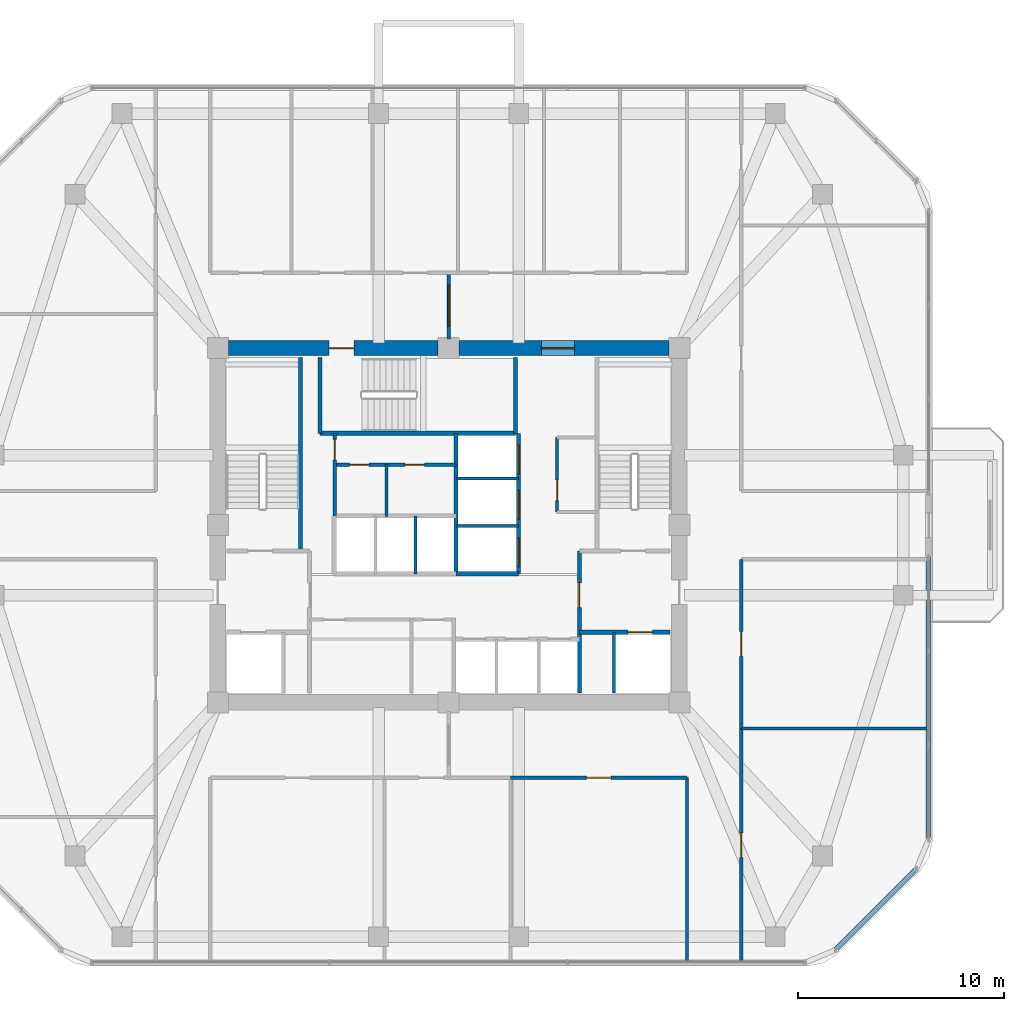
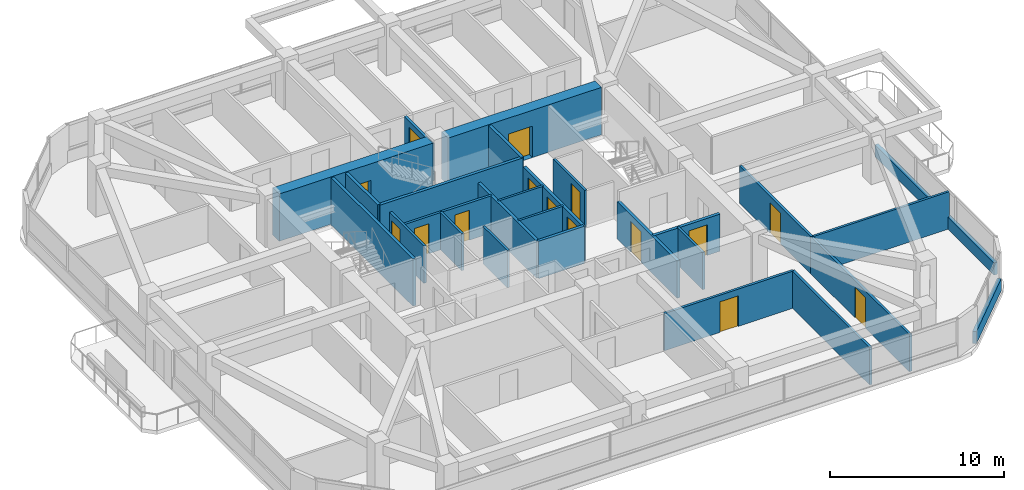
# One storey, part 9 of 13: 27 walls, 15 doors, 15 openings.
"""IFC4 building model written with IfcOpenShell, lengths in metres."""

from ifc_helpers import new_model, si_unit, derived_unit, direction, frame, frame_2d, origin, place, context, subcontext, project, spatial, rectangle, extrude, material, layer, layer_set, type_object, element, fill, save


model = new_model("IFC4")

# Units and contexts
model_context = context("Model", 3, precision=1e-05, world=origin(), true_north=direction((0.0, 1.0)))
body_context = subcontext(model_context, "Body", "Model", "MODEL_VIEW")
ifc_project = project(units=[si_unit("LENGTHUNIT", "METRE"), si_unit("AREAUNIT", "SQUARE_METRE"), si_unit("VOLUMEUNIT", "CUBIC_METRE"), si_unit("PLANEANGLEUNIT", "RADIAN"), si_unit("MASSUNIT", "GRAM", prefix="KILO"), derived_unit("THERMALTRANSMITTANCEUNIT", [(si_unit("POWERUNIT", "WATT"), 1), (si_unit("LENGTHUNIT", "METRE"), -2), (si_unit("THERMODYNAMICTEMPERATUREUNIT", "KELVIN"), -1)])], contexts=[model_context])

# Site, building, storey
site_placement = place(None, origin())
site = spatial("IfcSite", under=ifc_project, at=site_placement, CompositionType="ELEMENT")
building_placement = place(site_placement, origin())
building = spatial("IfcBuilding", under=site, at=building_placement, Name="Koralith Skygarden Medical Center", CompositionType="ELEMENT")
storey_placement = place(building_placement, frame((0.0, 0.0, 156.419921875)))
storey = spatial("IfcBuildingStorey", under=building, at=storey_placement, Name="L40", CompositionType="ELEMENT", Elevation=156.419921875)

# Wall, opening, door
ifc_material_1 = material(Name="Gypsum Board Partition")
ifc_layer_1 = layer(ifc_material_1, 0.14990234375)
ifc_layer_set_1 = layer_set([ifc_layer_1], Name="Gypsum Board Partition")
wall_type_1 = type_object("IfcWallType", Name="Clinical Acoustic Partition 150", PredefinedType="PARTITIONING", material=ifc_layer_set_1)
wall_1_placement = place(storey_placement, frame((42.27001953125, 26.5400390625, 0.0), z_axis=(0.0, 0.0, 1.0), x_axis=(0.0, 1.0, 0.0)))
wall_1 = element("IfcWall", 1, at=wall_1_placement, inside=storey, type_object=wall_type_1, Name="L40 Clinical Acoustic Partition 150 W-CORE-L40-ESUB-W", PredefinedType="PARTITIONING", context=body_context, shape_type="SweptSolid", body=[
    extrude(rectangle(XDim=3.619873046875, YDim=0.14990234375, at=frame_2d((1.81005859375, 0.0))), origin(), (0.0, 0.0, 1.0), 2.610107421875),
])
opening_1_placement = place(wall_1_placement, frame((0.550048828125, 0.0, 0.0)))
opening_1 = element("IfcOpeningElement", 2, at=opening_1_placement, cuts=wall_1, Name="Opening D-SUP", PredefinedType="OPENING", context=body_context, shape_type="SweptSolid", body=[
    extrude(rectangle(XDim=1.0, YDim=2.14990234375, at=frame_2d((0.5, 1.074951171875))), frame((0.0, 0.0849609375, 0.0), z_axis=(0.0, -1.0, 0.0), x_axis=(1.0, 0.0, 0.0)), (0.0, 0.0, 1.0), 0.169921875),
])
ifc_material_2 = material(Name="Aluminium 6063-T6", Category="aluminium")
door_type_1 = type_object("IfcDoorType", Name="Clinical Support Door D-SUP 1000", OperationType="NOTDEFINED", PredefinedType="DOOR", material=ifc_material_2)
door_1_placement = place(opening_1_placement, origin())
door_1 = element("IfcDoor", 3, at=door_1_placement, inside=storey, type_object=door_type_1, Name="L40 Core Equipment Store Door", OperationType="SINGLE_SWING_LEFT", OverallHeight=2.14990234375, OverallWidth=1.0, PredefinedType="DOOR", context=body_context, shape_type="SweptSolid", body=[
    extrude(rectangle(XDim=1.0, YDim=2.14990234375, at=frame_2d((0.5, 1.074951171875))), frame((0.0, 0.02490234375, 0.0), z_axis=(0.0, -1.0, 0.0), x_axis=(1.0, 0.0, 0.0)), (0.0, 0.0, 1.0), 0.050048828125),
])
fill(opening_1, door_1)

# Walls
wall_2_placement = place(storey_placement, frame((33.97998046875, 26.320068359375, 0.0), z_axis=(0.0, 0.0, 1.0), x_axis=(0.0, 1.0, 0.0)))
element("IfcWall", 4, at=wall_2_placement, inside=storey, type_object=wall_type_1, Name="L40 Clinical Acoustic Partition 150 W-CORE-L40-FLEX-V3A", PredefinedType="PARTITIONING", context=body_context, shape_type="SweptSolid", body=[
    extrude(rectangle(XDim=2.52001953125, YDim=0.14990234375, at=frame_2d((1.260009765625, 0.0))), origin(), (0.0, 0.0, 1.0), 2.610107421875),
])
wall_3_placement = place(storey_placement, frame((51.2099609375, 16.032958984375, 0.0), z_axis=(0.0, 0.0, 1.0), x_axis=(1.0, 0.0, 0.0)))
element("IfcWall", 5, at=wall_3_placement, inside=storey, type_object=wall_type_1, Name="L40 Clinical Acoustic Partition 150 W-PART-L40-ES-01", PredefinedType="PARTITIONING", context=body_context, shape_type="SweptSolid", body=[
    extrude(rectangle(XDim=9.073974609375, YDim=0.14990234375, at=frame_2d((4.537109375, 0.0))), origin(), (0.0, 0.0, 1.0), 2.610107421875),
])
ifc_layer_2 = layer(ifc_material_1, 0.1650390625)
ifc_layer_set_2 = layer_set([ifc_layer_2], Name="Gypsum Board Partition")
wall_type_2 = type_object("IfcWallType", Name="Clinical Corridor Partition 165", PredefinedType="PARTITIONING", material=ifc_layer_set_2)
wall_4_placement = place(storey_placement, frame((48.570068359375, 4.699951171875, 0.0), z_axis=(0.0, 0.0, 1.0), x_axis=(0.0, 1.0, 0.0)))
element("IfcWall", 6, at=wall_4_placement, inside=storey, type_object=wall_type_2, Name="L40 Clinical Corridor Partition 165 W-HCOR-L40-SE", PredefinedType="PARTITIONING", context=body_context, shape_type="SweptSolid", body=[
    extrude(rectangle(XDim=8.93994140625, YDim=0.1650390625, at=frame_2d((4.469970703125, 0.0))), origin(), (0.0, 0.0, 1.0), 2.610107421875),
])

# Wall, opening, door
wall_5_placement = place(storey_placement, frame((40.006103515625, 13.639892578125, 0.0), z_axis=(0.0, 0.0, 1.0), x_axis=(1.0, 0.0, 0.0)))
wall_5 = element("IfcWall", 7, at=wall_5_placement, inside=storey, type_object=wall_type_2, Name="L40 Clinical Corridor Partition 165 W-CORR-L40-S-03", PredefinedType="PARTITIONING", context=body_context, shape_type="SweptSolid", body=[
    extrude(rectangle(XDim=8.56396484375, YDim=0.1650390625, at=frame_2d((4.281982421875, 0.0))), origin(), (0.0, 0.0, 1.0), 2.610107421875),
])
opening_2_placement = place(wall_5_placement, frame((3.681884765625, 0.0, 0.0)))
opening_2 = element("IfcOpeningElement", 8, at=opening_2_placement, cuts=wall_5, Name="Opening D-CLN", PredefinedType="OPENING", context=body_context, shape_type="SweptSolid", body=[
    extrude(rectangle(XDim=1.199951171875, YDim=2.14990234375, at=frame_2d((0.60009765625, 1.074951171875))), frame((0.0, 0.092529296875, 0.0), z_axis=(0.0, -1.0, 0.0), x_axis=(1.0, 0.0, 0.0)), (0.0, 0.0, 1.0), 0.18505859375),
])
door_type_2 = type_object("IfcDoorType", Name="Clinical Corridor Door D-CLN 1200", OperationType="NOTDEFINED", PredefinedType="DOOR", material=ifc_material_2)
door_2_placement = place(opening_2_placement, frame((1.199951171875, 0.0, 0.0), z_axis=(0.0, 0.0, 1.0), x_axis=(-1.0, 0.0, 0.0)))
door_2 = element("IfcDoor", 9, at=door_2_placement, inside=storey, type_object=door_type_2, Name="L40 Renal Mobility Exercise Hall 09 Door", OperationType="SINGLE_SWING_RIGHT", OverallHeight=2.14990234375, OverallWidth=1.199951171875, PredefinedType="DOOR", context=body_context, shape_type="SweptSolid", body=[
    extrude(rectangle(XDim=1.199951171875, YDim=2.14990234375, at=frame_2d((0.60009765625, 1.074951171875))), frame((0.0, 0.02490234375, 0.0), z_axis=(0.0, -1.0, 0.0), x_axis=(1.0, 0.0, 0.0)), (0.0, 0.0, 1.0), 0.050048828125),
])
fill(opening_2, door_2)

wall_6_placement = place(storey_placement, frame((51.2099609375, 4.699951171875, 0.0), z_axis=(0.0, 0.0, 1.0), x_axis=(0.0, 1.0, 0.0)))
wall_6 = element("IfcWall", 10, at=wall_6_placement, inside=storey, type_object=wall_type_2, Name="L40 Clinical Corridor Partition 165 W-CORR-L40-ES-01", PredefinedType="PARTITIONING", context=body_context, shape_type="SweptSolid", body=[
    extrude(rectangle(XDim=11.3330078125, YDim=0.1650390625, at=frame_2d((5.66650390625, 0.0))), origin(), (0.0, 0.0, 1.0), 2.610107421875),
])
opening_3_placement = place(wall_6_placement, frame((5.06689453125, 0.0, 0.0)))
opening_3 = element("IfcOpeningElement", 11, at=opening_3_placement, cuts=wall_6, Name="Opening D-CLN", PredefinedType="OPENING", context=body_context, shape_type="SweptSolid", body=[
    extrude(rectangle(XDim=1.199951171875, YDim=2.14990234375, at=frame_2d((0.60009765625, 1.074951171875))), frame((0.0, 0.092529296875, 0.0), z_axis=(0.0, -1.0, 0.0), x_axis=(1.0, 0.0, 0.0)), (0.0, 0.0, 1.0), 0.18505859375),
])
door_3_placement = place(opening_3_placement, origin())
door_3 = element("IfcDoor", 12, at=door_3_placement, inside=storey, type_object=door_type_2, Name="L40 Dialysis Recovery Sitting Lounge 14 Door", OperationType="SINGLE_SWING_LEFT", OverallHeight=2.14990234375, OverallWidth=1.199951171875, PredefinedType="DOOR", context=body_context, shape_type="SweptSolid", body=[
    extrude(rectangle(XDim=1.199951171875, YDim=2.14990234375, at=frame_2d((0.60009765625, 1.074951171875))), frame((0.0, 0.02490234375, 0.0), z_axis=(0.0, -1.0, 0.0), x_axis=(1.0, 0.0, 0.0)), (0.0, 0.0, 1.0), 0.050048828125),
])
fill(opening_3, door_3)

wall_7_placement = place(storey_placement, frame((51.2099609375, 16.032958984375, 0.0), z_axis=(0.0, 0.0, 1.0), x_axis=(0.0, 1.0, 0.0)))
wall_7 = element("IfcWall", 13, at=wall_7_placement, inside=storey, type_object=wall_type_2, Name="L40 Clinical Corridor Partition 165 W-CORR-L40-ES-02", PredefinedType="PARTITIONING", context=body_context, shape_type="SweptSolid", body=[
    extrude(rectangle(XDim=8.20703125, YDim=0.1650390625, at=frame_2d((4.103515625, 0.0))), origin(), (0.0, 0.0, 1.0), 2.610107421875),
])
opening_4_placement = place(wall_7_placement, frame((3.5029296875, 0.0, 0.0)))
opening_4 = element("IfcOpeningElement", 14, at=opening_4_placement, cuts=wall_7, Name="Opening D-CLN", PredefinedType="OPENING", context=body_context, shape_type="SweptSolid", body=[
    extrude(rectangle(XDim=1.199951171875, YDim=2.14990234375, at=frame_2d((0.60009765625, 1.074951171875))), frame((0.0, 0.092529296875, 0.0), z_axis=(0.0, -1.0, 0.0), x_axis=(1.0, 0.0, 0.0)), (0.0, 0.0, 1.0), 0.18505859375),
])
door_4_placement = place(opening_4_placement, origin())
door_4 = element("IfcDoor", 15, at=door_4_placement, inside=storey, type_object=door_type_2, Name="L40 Renal Dietetics Classroom 15 Door", OperationType="SINGLE_SWING_RIGHT", OverallHeight=2.14990234375, OverallWidth=1.199951171875, PredefinedType="DOOR", context=body_context, shape_type="SweptSolid", body=[
    extrude(rectangle(XDim=1.199951171875, YDim=2.14990234375, at=frame_2d((0.60009765625, 1.074951171875))), frame((0.0, 0.02490234375, 0.0), z_axis=(0.0, -1.0, 0.0), x_axis=(1.0, 0.0, 0.0)), (0.0, 0.0, 1.0), 0.050048828125),
])
fill(opening_4, door_4)

ifc_layer_3 = layer(ifc_material_1, 0.199951171875)
ifc_layer_set_3 = layer_set([ifc_layer_3], Name="Gypsum Board Partition")
wall_type_3 = type_object("IfcWallType", Name="Fire Shaft Wall 200", PredefinedType="SOLIDWALL", material=ifc_layer_set_3)
wall_8_placement = place(storey_placement, frame((43.35009765625, 20.699951171875, 0.0), z_axis=(0.0, 0.0, 1.0), x_axis=(1.0, 0.0, 0.0)))
wall_8 = element("IfcWall", 16, at=wall_8_placement, inside=storey, type_object=wall_type_3, Name="L40 Fire Shaft Wall 200 W-CORE-L40-FF2-N", PredefinedType="SOLIDWALL", context=body_context, shape_type="SweptSolid", body=[
    extrude(rectangle(XDim=4.39990234375, YDim=0.199951171875, at=frame_2d((2.199951171875, 0.0))), origin(), (0.0, 0.0, 1.0), 2.610107421875),
])
opening_5_placement = place(wall_8_placement, frame((2.35009765625, 0.0, 0.0)))
opening_5 = element("IfcOpeningElement", 17, at=opening_5_placement, cuts=wall_8, Name="Opening LD-FF", PredefinedType="OPENING", context=body_context, shape_type="SweptSolid", body=[
    extrude(rectangle(XDim=1.199951171875, YDim=2.14990234375, at=frame_2d((0.60009765625, 1.074951171875))), frame((0.0, 0.10986328125, 0.0), z_axis=(0.0, -1.0, 0.0), x_axis=(1.0, 0.0, 0.0)), (0.0, 0.0, 1.0), 0.219970703125),
])
ifc_material_3 = material(Name="Steel ASTM A500 Grade C", Category="steel")
door_type_3 = type_object("IfcDoorType", Name="Fire Lift Sliding Landing Door LD-FF 1200", OperationType="NOTDEFINED", PredefinedType="DOOR", material=ifc_material_3)
door_5_placement = place(opening_5_placement, origin())
door_5 = element("IfcDoor", 18, at=door_5_placement, inside=storey, type_object=door_type_3, Name="L40 Fire Service Elevator FF2 Landing Door", OperationType="SLIDING_TO_RIGHT", OverallHeight=2.14990234375, OverallWidth=1.199951171875, PredefinedType="DOOR", context=body_context, shape_type="SweptSolid", body=[
    extrude(rectangle(XDim=1.199951171875, YDim=2.14990234375, at=frame_2d((0.60009765625, 1.074951171875))), frame((0.0, 0.02490234375, 0.0), z_axis=(0.0, -1.0, 0.0), x_axis=(1.0, 0.0, 0.0)), (0.0, 0.0, 1.0), 0.050048828125),
])
fill(opening_5, door_5)

wall_9_placement = place(storey_placement, frame((43.35009765625, 17.75, 0.0), z_axis=(0.0, 0.0, 1.0), x_axis=(0.0, 1.0, 0.0)))
wall_9 = element("IfcWall", 19, at=wall_9_placement, inside=storey, type_object=wall_type_3, Name="L40 Fire Shaft Wall 200 W-CORE-L40-FSAEE-W", PredefinedType="SOLIDWALL", context=body_context, shape_type="SweptSolid", body=[
    extrude(rectangle(XDim=6.89990234375, YDim=0.199951171875, at=frame_2d((3.449951171875, 0.0))), origin(), (0.0, 0.0, 1.0), 2.610107421875),
])
opening_6_placement = place(wall_9_placement, frame((4.14990234375, 0.0, 0.0)))
opening_6 = element("IfcOpeningElement", 20, at=opening_6_placement, cuts=wall_9, Name="Opening D-ST60", PredefinedType="OPENING", context=body_context, shape_type="SweptSolid", body=[
    extrude(rectangle(XDim=1.199951171875, YDim=2.14990234375, at=frame_2d((0.60009765625, 1.074951171875))), frame((0.0, 0.10986328125, 0.0), z_axis=(0.0, -1.0, 0.0), x_axis=(1.0, 0.0, 0.0)), (0.0, 0.0, 1.0), 0.219970703125),
])
door_type_4 = type_object("IfcDoorType", Name="Smokeproof Stair Fire Door FD60S 1200", OperationType="NOTDEFINED", PredefinedType="DOOR", material=ifc_material_3)
door_6_placement = place(opening_6_placement, frame((1.199951171875, 0.0, 0.0), z_axis=(0.0, 0.0, 1.0), x_axis=(-1.0, 0.0, 0.0)))
door_6 = element("IfcDoor", 21, at=door_6_placement, inside=storey, type_object=door_type_4, Name="L40 East Firefighting Lobby Inner Fire Door", OperationType="SINGLE_SWING_RIGHT", OverallHeight=2.14990234375, OverallWidth=1.199951171875, PredefinedType="DOOR", context=body_context, shape_type="SweptSolid", body=[
    extrude(rectangle(XDim=1.199951171875, YDim=2.14990234375, at=frame_2d((0.60009765625, 1.074951171875))), frame((0.0, 0.02490234375, 0.0), z_axis=(0.0, -1.0, 0.0), x_axis=(1.0, 0.0, 0.0)), (0.0, 0.0, 1.0), 0.050048828125),
])
fill(opening_6, door_6)

# Walls
wall_10_placement = place(storey_placement, frame((37.35009765625, 23.5400390625, 0.0), z_axis=(0.0, 0.0, 1.0), x_axis=(0.0, 1.0, 0.0)))
element("IfcWall", 22, at=wall_10_placement, inside=storey, type_object=wall_type_3, Name="L40 Fire Shaft Wall 200 W-CORE-L40-SV-W", PredefinedType="SOLIDWALL", context=body_context, shape_type="SweptSolid", body=[
    extrude(rectangle(XDim=6.820068359375, YDim=0.199951171875, at=frame_2d((3.41015625, 0.0))), origin(), (0.0, 0.0, 1.0), 2.610107421875),
])
wall_11_placement = place(storey_placement, frame((37.35009765625, 23.5400390625, 0.0), z_axis=(0.0, 0.0, 1.0), x_axis=(1.0, 0.0, 0.0)))
element("IfcWall", 23, at=wall_11_placement, inside=storey, type_object=wall_type_3, Name="L40 Fire Shaft Wall 200 W-CORE-L40-SV-S", PredefinedType="SOLIDWALL", context=body_context, shape_type="SweptSolid", body=[
    extrude(rectangle(XDim=3.0498046875, YDim=0.199951171875, at=frame_2d((1.52490234375, 0.0))), origin(), (0.0, 0.0, 1.0), 2.610107421875),
])

# Wall, openings, doors
wall_12_placement = place(storey_placement, frame((40.39990234375, 23.5400390625, 0.0), z_axis=(0.0, 0.0, 1.0), x_axis=(0.0, 1.0, 0.0)))
wall_12 = element("IfcWall", 24, at=wall_12_placement, inside=storey, type_object=wall_type_3, Name="L40 Fire Shaft Wall 200 W-CORE-L40-SV-E", PredefinedType="SOLIDWALL", context=body_context, shape_type="SweptSolid", body=[
    extrude(rectangle(XDim=6.820068359375, YDim=0.199951171875, at=frame_2d((3.41015625, 0.0))), origin(), (0.0, 0.0, 1.0), 2.610107421875),
])
opening_7_placement = place(wall_12_placement, frame((0.35009765625, 0.0, 0.0)))
opening_7 = element("IfcOpeningElement", 25, at=opening_7_placement, cuts=wall_12, Name="Opening LD-SV", PredefinedType="OPENING", context=body_context, shape_type="SweptSolid", body=[
    extrude(rectangle(XDim=1.39990234375, YDim=2.199951171875, at=frame_2d((0.699951171875, 1.10009765625))), frame((0.0, 0.10986328125, 0.0), z_axis=(0.0, -1.0, 0.0), x_axis=(1.0, 0.0, 0.0)), (0.0, 0.0, 1.0), 0.219970703125),
])
opening_8_placement = place(wall_12_placement, frame((2.64990234375, 0.0, 0.0)))
opening_8 = element("IfcOpeningElement", 26, at=opening_8_placement, cuts=wall_12, Name="Opening LD-SV", PredefinedType="OPENING", context=body_context, shape_type="SweptSolid", body=[
    extrude(rectangle(XDim=1.39990234375, YDim=2.199951171875, at=frame_2d((0.699951171875, 1.10009765625))), frame((0.0, 0.10986328125, 0.0), z_axis=(0.0, -1.0, 0.0), x_axis=(1.0, 0.0, 0.0)), (0.0, 0.0, 1.0), 0.219970703125),
])
opening_9_placement = place(wall_12_placement, frame((4.85009765625, 0.0, 0.0)))
opening_9 = element("IfcOpeningElement", 27, at=opening_9_placement, cuts=wall_12, Name="Opening LD-SV", PredefinedType="OPENING", context=body_context, shape_type="SweptSolid", body=[
    extrude(rectangle(XDim=1.39990234375, YDim=2.199951171875, at=frame_2d((0.699951171875, 1.10009765625))), frame((0.0, 0.10986328125, 0.0), z_axis=(0.0, -1.0, 0.0), x_axis=(1.0, 0.0, 0.0)), (0.0, 0.0, 1.0), 0.219970703125),
])
door_type_5 = type_object("IfcDoorType", Name="Bed Lift Sliding Landing Door LD-SV 1400", OperationType="NOTDEFINED", PredefinedType="DOOR", material=ifc_material_3)
door_7_placement = place(opening_7_placement, origin())
door_7 = element("IfcDoor", 28, at=door_7_placement, inside=storey, type_object=door_type_5, Name="L40 Bed Elevator BD1 Landing Door", OperationType="SLIDING_TO_LEFT", OverallHeight=2.199951171875, OverallWidth=1.39990234375, PredefinedType="DOOR", context=body_context, shape_type="SweptSolid", body=[
    extrude(rectangle(XDim=1.39990234375, YDim=2.199951171875, at=frame_2d((0.699951171875, 1.10009765625))), frame((0.0, 0.02490234375, 0.0), z_axis=(0.0, -1.0, 0.0), x_axis=(1.0, 0.0, 0.0)), (0.0, 0.0, 1.0), 0.050048828125),
])
fill(opening_7, door_7)
door_8_placement = place(opening_8_placement, origin())
door_8 = element("IfcDoor", 29, at=door_8_placement, inside=storey, type_object=door_type_5, Name="L40 Service Elevator BD2 Landing Door", OperationType="SLIDING_TO_LEFT", OverallHeight=2.199951171875, OverallWidth=1.39990234375, PredefinedType="DOOR", context=body_context, shape_type="SweptSolid", body=[
    extrude(rectangle(XDim=1.39990234375, YDim=2.199951171875, at=frame_2d((0.699951171875, 1.10009765625))), frame((0.0, 0.02490234375, 0.0), z_axis=(0.0, -1.0, 0.0), x_axis=(1.0, 0.0, 0.0)), (0.0, 0.0, 1.0), 0.050048828125),
])
fill(opening_8, door_8)
door_9_placement = place(opening_9_placement, origin())
door_9 = element("IfcDoor", 30, at=door_9_placement, inside=storey, type_object=door_type_5, Name="L40 Trauma Elevator TR1 Landing Door", OperationType="SLIDING_TO_RIGHT", OverallHeight=2.199951171875, OverallWidth=1.39990234375, PredefinedType="DOOR", context=body_context, shape_type="SweptSolid", body=[
    extrude(rectangle(XDim=1.39990234375, YDim=2.199951171875, at=frame_2d((0.699951171875, 1.10009765625))), frame((0.0, 0.02490234375, 0.0), z_axis=(0.0, -1.0, 0.0), x_axis=(1.0, 0.0, 0.0)), (0.0, 0.0, 1.0), 0.050048828125),
])
fill(opening_9, door_9)

# Wall, opening, door
ifc_layer_4 = layer(ifc_material_1, 0.179931640625)
ifc_layer_set_4 = layer_set([ifc_layer_4], Name="Gypsum Board Partition")
wall_type_4 = type_object("IfcWallType", Name="Group I-2 Smoke Barrier Wall 180", PredefinedType="PARTITIONING", material=ifc_layer_set_4)
wall_13_placement = place(storey_placement, frame((37.0, 34.949951171875, 0.0), z_axis=(0.0, 0.0, 1.0), x_axis=(0.0, 1.0, 0.0)))
wall_13 = element("IfcWall", 31, at=wall_13_placement, inside=storey, type_object=wall_type_4, Name="L40 Group I-2 Smoke Barrier Wall 180 W-SMK-L40-N", PredefinedType="PARTITIONING", context=body_context, shape_type="SweptSolid", body=[
    extrude(rectangle(XDim=3.2099609375, YDim=0.179931640625, at=frame_2d((1.60498046875, 0.0))), origin(), (0.0, 0.0, 1.0), 2.610107421875),
])
opening_10_placement = place(wall_13_placement, frame((0.60498046875, 0.0, 0.0)))
opening_10 = element("IfcOpeningElement", 32, at=opening_10_placement, cuts=wall_13, Name="Opening D-SMK", PredefinedType="OPENING", context=body_context, shape_type="SweptSolid", body=[
    extrude(rectangle(XDim=2.0, YDim=2.199951171875, at=frame_2d((1.0, 1.10009765625))), frame((0.0, 0.099853515625, 0.0), z_axis=(0.0, -1.0, 0.0), x_axis=(1.0, 0.0, 0.0)), (0.0, 0.0, 1.0), 0.199951171875),
])
door_type_6 = type_object("IfcDoorType", Name="Cross-Corridor Double Smoke Door FD60S 2000", OperationType="NOTDEFINED", PredefinedType="DOOR", material=ifc_material_3)
door_10_placement = place(opening_10_placement, origin())
door_10 = element("IfcDoor", 33, at=door_10_placement, inside=storey, type_object=door_type_6, Name="L40 N Smoke Compartment Cross-Corridor Door", OperationType="DOUBLE_DOOR_SINGLE_SWING", OverallHeight=2.199951171875, OverallWidth=2.0, PredefinedType="DOOR", context=body_context, shape_type="SweptSolid", body=[
    extrude(rectangle(XDim=2.0, YDim=2.199951171875, at=frame_2d((1.0, 1.10009765625))), frame((0.0, 0.02490234375, 0.0), z_axis=(0.0, -1.0, 0.0), x_axis=(1.0, 0.0, 0.0)), (0.0, 0.0, 1.0), 0.050048828125),
])
fill(opening_10, door_10)

# Walls
ifc_material_4 = material(Name="Warm Oolitic Limestone Cladding", Category="masonry")
ifc_layer_5 = layer(ifc_material_4, 0.239990234375)
ifc_layer_set_5 = layer_set([ifc_layer_5], Name="Warm Oolitic Limestone Cladding")
wall_type_5 = type_object("IfcWallType", Name="Limestone Spandrel Sill Backup Wall 240", PredefinedType="SOLIDWALL", material=ifc_layer_set_5)
wall_14_placement = place(storey_placement, frame((55.780029296875, 5.281005859375, 0.0), z_axis=(0.0, 0.0, 1.0), x_axis=(0.707084777957, 0.707128783731, 0.0)))
element("IfcWall", 34, at=wall_14_placement, inside=storey, type_object=wall_type_5, Name="L40 Sill Spandrel SE", PredefinedType="SOLIDWALL", context=body_context, shape_type="SweptSolid", body=[
    extrude(rectangle(XDim=5.5478515625, YDim=0.239990234375, at=frame_2d((2.77392578125, 0.0))), origin(), (0.0, 0.0, 1.0), 0.85009765625),
])
wall_15_placement = place(storey_placement, frame((60.303955078125, 10.655029296875, 0.0), z_axis=(0.0, 0.0, 1.0), x_axis=(0.0, 1.0, 0.0)))
element("IfcWall", 35, at=wall_15_placement, inside=storey, type_object=wall_type_5, Name="L40 Sill Spandrel E-L", PredefinedType="SOLIDWALL", context=body_context, shape_type="SweptSolid", body=[
    extrude(rectangle(XDim=13.705078125, YDim=0.239990234375, at=frame_2d((6.8525390625, 0.0))), origin(), (0.0, 0.0, 1.0), 0.85009765625),
])

# Wall, opening, door
ifc_material_5 = material(Name="Concrete C70/85", Category="concrete")
ifc_layer_6 = layer(ifc_material_5, 0.75)
ifc_layer_set_6 = layer_set([ifc_layer_6], Name="Concrete C70/85")
wall_type_6 = type_object("IfcWallType", Name="Mid Core Shear Wall 750", PredefinedType="SHEAR", material=ifc_layer_set_6)
wall_16_placement = place(storey_placement, frame((47.695068359375, 34.5, 0.0), z_axis=(0.0, 0.0, 1.0), x_axis=(-1.0, 0.0, 0.0)))
wall_16 = element("IfcWall", 36, at=wall_16_placement, inside=storey, type_object=wall_type_6, Name="L40 Core Shear Wall Segment 5", PredefinedType="SHEAR", context=body_context, shape_type="SweptSolid", body=[
    extrude(rectangle(XDim=10.190185546875, YDim=0.75, at=frame_2d((5.09521484375, 0.0))), origin(), (0.0, 0.0, 1.0), 3.320068359375),
])
opening_11_placement = place(wall_16_placement, frame((4.594970703125, 0.0, 0.0)))
opening_11 = element("IfcOpeningElement", 37, at=opening_11_placement, cuts=wall_16, Name="Opening D-DBL", PredefinedType="OPENING", context=body_context, shape_type="SweptSolid", body=[
    extrude(rectangle(XDim=1.60009765625, YDim=2.199951171875, at=frame_2d((0.800048828125, 1.10009765625))), frame((0.0, 0.385009765625, 0.0), z_axis=(0.0, -1.0, 0.0), x_axis=(1.0, 0.0, 0.0)), (0.0, 0.0, 1.0), 0.77001953125),
])
door_type_7 = type_object("IfcDoorType", Name="Double Clinical Suite Door D-DBL 1600", OperationType="NOTDEFINED", PredefinedType="DOOR", material=ifc_material_2)
door_11_placement = place(opening_11_placement, frame((1.60009765625, 0.0, 0.0), z_axis=(0.0, 0.0, 1.0), x_axis=(-1.0, 0.0, 0.0)))
door_11 = element("IfcDoor", 38, at=door_11_placement, inside=storey, type_object=door_type_7, Name="L40 North-East Corridor to Elevator Lobby Door", OperationType="DOUBLE_DOOR_SINGLE_SWING", OverallHeight=2.199951171875, OverallWidth=1.60009765625, PredefinedType="DOOR", context=body_context, shape_type="SweptSolid", body=[
    extrude(rectangle(XDim=1.60009765625, YDim=2.199951171875, at=frame_2d((0.800048828125, 1.10009765625))), frame((0.0, 0.02490234375, 0.0), z_axis=(0.0, -1.0, 0.0), x_axis=(1.0, 0.0, 0.0)), (0.0, 0.0, 1.0), 0.050048828125),
])
fill(opening_11, door_11)

wall_17_placement = place(storey_placement, frame((36.4951171875, 34.5, 0.0), z_axis=(0.0, 0.0, 1.0), x_axis=(-1.0, 0.0, 0.0)))
wall_17 = element("IfcWall", 39, at=wall_17_placement, inside=storey, type_object=wall_type_6, Name="L40 Core Shear Wall Segment 6", PredefinedType="SHEAR", context=body_context, shape_type="SweptSolid", body=[
    extrude(rectangle(XDim=10.190185546875, YDim=0.75, at=frame_2d((5.09521484375, 0.0))), origin(), (0.0, 0.0, 1.0), 3.320068359375),
])
opening_12_placement = place(wall_17_placement, frame((4.094970703125, 0.0, 0.0)))
opening_12 = element("IfcOpeningElement", 40, at=opening_12_placement, cuts=wall_17, Name="Opening D-ST60", PredefinedType="OPENING", context=body_context, shape_type="SweptSolid", body=[
    extrude(rectangle(XDim=1.199951171875, YDim=2.14990234375, at=frame_2d((0.60009765625, 1.074951171875))), frame((0.0, 0.385009765625, 0.0), z_axis=(0.0, -1.0, 0.0), x_axis=(1.0, 0.0, 0.0)), (0.0, 0.0, 1.0), 0.77001953125),
])
door_12_placement = place(opening_12_placement, frame((1.199951171875, 0.0, 0.0), z_axis=(0.0, 0.0, 1.0), x_axis=(-1.0, 0.0, 0.0)))
door_12 = element("IfcDoor", 41, at=door_12_placement, inside=storey, type_object=door_type_4, Name="L40 Exit Stair ST3 Fire Door", OperationType="SINGLE_SWING_LEFT", OverallHeight=2.14990234375, OverallWidth=1.199951171875, PredefinedType="DOOR", context=body_context, shape_type="SweptSolid", body=[
    extrude(rectangle(XDim=1.199951171875, YDim=2.14990234375, at=frame_2d((0.60009765625, 1.074951171875))), frame((0.0, 0.02490234375, 0.0), z_axis=(0.0, -1.0, 0.0), x_axis=(1.0, 0.0, 0.0)), (0.0, 0.0, 1.0), 0.050048828125),
])
fill(opening_12, door_12)

ifc_layer_7 = layer(ifc_material_1, 0.1650390625)
ifc_layer_set_7 = layer_set([ifc_layer_7], Name="Gypsum Board Partition")
wall_type_7 = type_object("IfcWallType", Name="Plumbing Wet Wall 165", PredefinedType="PLUMBINGWALL", material=ifc_layer_set_7)
wall_18_placement = place(storey_placement, frame((31.47998046875, 26.320068359375, 0.0), z_axis=(0.0, 0.0, 1.0), x_axis=(0.0, 1.0, 0.0)))
wall_18 = element("IfcWall", 42, at=wall_18_placement, inside=storey, type_object=wall_type_7, Name="L40 Plumbing Wet Wall 165 W-CORE-L40-FLEX-W", PredefinedType="PLUMBINGWALL", context=body_context, shape_type="SweptSolid", body=[
    extrude(rectangle(XDim=4.0400390625, YDim=0.1650390625, at=frame_2d((2.02001953125, 0.0))), origin(), (0.0, 0.0, 1.0), 2.610107421875),
])
opening_13_placement = place(wall_18_placement, frame((2.75, 0.0, 0.0)))
opening_13 = element("IfcOpeningElement", 43, at=opening_13_placement, cuts=wall_18, Name="Opening D-SUP", PredefinedType="OPENING", context=body_context, shape_type="SweptSolid", body=[
    extrude(rectangle(XDim=1.0, YDim=2.14990234375, at=frame_2d((0.5, 1.074951171875))), frame((0.0, 0.092529296875, 0.0), z_axis=(0.0, -1.0, 0.0), x_axis=(1.0, 0.0, 0.0)), (0.0, 0.0, 1.0), 0.18505859375),
])
door_13_placement = place(opening_13_placement, frame((1.0, 0.0, 0.0), z_axis=(0.0, 0.0, 1.0), x_axis=(-1.0, 0.0, 0.0)))
door_13 = element("IfcDoor", 44, at=door_13_placement, inside=storey, type_object=door_type_1, Name="L40 Core Utility Alcove Door", OperationType="SINGLE_SWING_RIGHT", OverallHeight=2.14990234375, OverallWidth=1.0, PredefinedType="DOOR", context=body_context, shape_type="SweptSolid", body=[
    extrude(rectangle(XDim=1.0, YDim=2.14990234375, at=frame_2d((0.5, 1.074951171875))), frame((0.0, 0.02490234375, 0.0), z_axis=(0.0, -1.0, 0.0), x_axis=(1.0, 0.0, 0.0)), (0.0, 0.0, 1.0), 0.050048828125),
])
fill(opening_13, door_13)

# Wall, openings, doors
wall_19_placement = place(storey_placement, frame((31.47998046875, 28.840087890625, 0.0), z_axis=(0.0, 0.0, 1.0), x_axis=(1.0, 0.0, 0.0)))
wall_19 = element("IfcWall", 45, at=wall_19_placement, inside=storey, type_object=wall_type_7, Name="L40 Plumbing Wet Wall 165 W-CORE-L40-FLEX-H3", PredefinedType="PLUMBINGWALL", context=body_context, shape_type="SweptSolid", body=[
    extrude(rectangle(XDim=5.8701171875, YDim=0.1650390625, at=frame_2d((2.93505859375, 0.0))), origin(), (0.0, 0.0, 1.0), 2.610107421875),
])
opening_14_placement = place(wall_19_placement, frame((0.699951171875, 0.0, 0.0)))
opening_14 = element("IfcOpeningElement", 46, at=opening_14_placement, cuts=wall_19, Name="Opening D-WC", PredefinedType="OPENING", context=body_context, shape_type="SweptSolid", body=[
    extrude(rectangle(XDim=0.949951171875, YDim=2.10009765625, at=frame_2d((0.47509765625, 1.050048828125))), frame((0.0, 0.092529296875, 0.0), z_axis=(0.0, -1.0, 0.0), x_axis=(1.0, 0.0, 0.0)), (0.0, 0.0, 1.0), 0.18505859375),
])
opening_15_placement = place(wall_19_placement, frame((3.39990234375, 0.0, 0.0)))
opening_15 = element("IfcOpeningElement", 47, at=opening_15_placement, cuts=wall_19, Name="Opening D-WC", PredefinedType="OPENING", context=body_context, shape_type="SweptSolid", body=[
    extrude(rectangle(XDim=0.949951171875, YDim=2.10009765625, at=frame_2d((0.47509765625, 1.050048828125))), frame((0.0, 0.092529296875, 0.0), z_axis=(0.0, -1.0, 0.0), x_axis=(1.0, 0.0, 0.0)), (0.0, 0.0, 1.0), 0.18505859375),
])
door_type_8 = type_object("IfcDoorType", Name="Accessible Toilet Door D-WC 950", OperationType="NOTDEFINED", PredefinedType="DOOR", material=ifc_material_2)
door_14_placement = place(opening_14_placement, frame((0.949951171875, 0.0, 0.0), z_axis=(0.0, 0.0, 1.0), x_axis=(-1.0, 0.0, 0.0)))
door_14 = element("IfcDoor", 48, at=door_14_placement, inside=storey, type_object=door_type_8, Name="L40 Core Accessible WC Door", OperationType="SINGLE_SWING_LEFT", OverallHeight=2.10009765625, OverallWidth=0.949951171875, PredefinedType="DOOR", context=body_context, shape_type="SweptSolid", body=[
    extrude(rectangle(XDim=0.949951171875, YDim=2.10009765625, at=frame_2d((0.47509765625, 1.050048828125))), frame((0.0, 0.02490234375, 0.0), z_axis=(0.0, -1.0, 0.0), x_axis=(1.0, 0.0, 0.0)), (0.0, 0.0, 1.0), 0.050048828125),
])
fill(opening_14, door_14)
door_15_placement = place(opening_15_placement, frame((0.949951171875, 0.0, 0.0), z_axis=(0.0, 0.0, 1.0), x_axis=(-1.0, 0.0, 0.0)))
door_15 = element("IfcDoor", 49, at=door_15_placement, inside=storey, type_object=door_type_8, Name="L40 Housekeeping Store Door", OperationType="SINGLE_SWING_RIGHT", OverallHeight=2.10009765625, OverallWidth=0.949951171875, PredefinedType="DOOR", context=body_context, shape_type="SweptSolid", body=[
    extrude(rectangle(XDim=0.949951171875, YDim=2.10009765625, at=frame_2d((0.47509765625, 1.050048828125))), frame((0.0, 0.02490234375, 0.0), z_axis=(0.0, -1.0, 0.0), x_axis=(1.0, 0.0, 0.0)), (0.0, 0.0, 1.0), 0.050048828125),
])
fill(opening_15, door_15)

# Walls
ifc_layer_8 = layer(ifc_material_1, 0.14990234375)
ifc_layer_set_8 = layer_set([ifc_layer_8], Name="Gypsum Board Partition")
wall_type_8 = type_object("IfcWallType", Name="Shaft Partition Wall 150", PredefinedType="PARTITIONING", material=ifc_layer_set_8)
wall_20_placement = place(storey_placement, frame((45.02001953125, 17.75, 0.0), z_axis=(0.0, 0.0, 1.0), x_axis=(0.0, 1.0, 0.0)))
element("IfcWall", 50, at=wall_20_placement, inside=storey, type_object=wall_type_8, Name="L40 Shaft Partition Wall 150 W-CORE-L40-RSRE-DIV", PredefinedType="PARTITIONING", context=body_context, shape_type="SweptSolid", body=[
    extrude(rectangle(XDim=2.949951171875, YDim=0.14990234375, at=frame_2d((1.47509765625, 0.0))), origin(), (0.0, 0.0, 1.0), 2.610107421875),
])
wall_21_placement = place(storey_placement, frame((35.39990234375, 23.5400390625, 0.0), z_axis=(0.0, 0.0, 1.0), x_axis=(0.0, 1.0, 0.0)))
element("IfcWall", 51, at=wall_21_placement, inside=storey, type_object=wall_type_8, Name="L40 Shaft Partition Wall 150 W-CORE-L40-PH-D2", PredefinedType="PARTITIONING", context=body_context, shape_type="SweptSolid", body=[
    extrude(rectangle(XDim=2.81005859375, YDim=0.14990234375, at=frame_2d((1.405029296875, 0.0))), origin(), (0.0, 0.0, 1.0), 2.610107421875),
])
for number, where, z_axis, x_axis, name in (
    (52, (37.3701171875, 25.8701171875, 0.0), (0.0, 0.0, 1.0), (1.0, 0.0, 0.0), "L40 Shaft Partition Wall 150 W-CORE-L40-SV-D1"),
    (53, (37.3701171875, 28.169921875, 0.0), (0.0, 0.0, 1.0), (1.0, 0.0, 0.0), "L40 Shaft Partition Wall 150 W-CORE-L40-SV-D2"),
):
    element("IfcWall", number, at=place(storey_placement, frame(where, z_axis=z_axis, x_axis=x_axis)), inside=storey, type_object=wall_type_8, Name=name, PredefinedType="PARTITIONING", context=body_context, shape_type="SweptSolid", body=[
        extrude(rectangle(XDim=3.009765625, YDim=0.14990234375, at=frame_2d((1.5048828125, 0.0))), origin(), (0.0, 0.0, 1.0), 2.610107421875),
    ])
ifc_material_6 = material(Name="Concrete C45/55", Category="concrete")
ifc_layer_9 = layer(ifc_material_6, 0.199951171875)
ifc_layer_set_9 = layer_set([ifc_layer_9], Name="Concrete C45/55")
wall_type_9 = type_object("IfcWallType", Name="Structural Stair Shaft Wall 200", PredefinedType="SHEAR", material=ifc_layer_set_9)
wall_22_placement = place(storey_placement, frame((29.800048828125, 24.64990234375, 0.0), z_axis=(0.0, 0.0, 1.0), x_axis=(0.0, 1.0, 0.0)))
element("IfcWall", 54, at=wall_22_placement, inside=storey, type_object=wall_type_9, Name="L40 Structural Stair Shaft Wall 200 W-CORE-L40-ST1-E", PredefinedType="SHEAR", context=body_context, shape_type="SweptSolid", body=[
    extrude(rectangle(XDim=9.400146484375, YDim=0.199951171875, at=frame_2d((4.7001953125, 0.0))), origin(), (0.0, 0.0, 1.0), 3.320068359375),
])
wall_23_placement = place(storey_placement, frame((30.75, 30.360107421875, 0.0), z_axis=(0.0, 0.0, 1.0), x_axis=(1.0, 0.0, 0.0)))
element("IfcWall", 55, at=wall_23_placement, inside=storey, type_object=wall_type_9, Name="L40 Structural Stair Shaft Wall 200 W-CORE-L40-ST3-S", PredefinedType="SHEAR", context=body_context, shape_type="SweptSolid", body=[
    extrude(rectangle(XDim=9.5, YDim=0.199951171875, at=frame_2d((4.75, 0.0))), origin(), (0.0, 0.0, 1.0), 3.320068359375),
])
for number, where, z_axis, x_axis, name in (
    (56, (30.75, 30.360107421875, 0.0), (0.0, 0.0, 1.0), (0.0, 1.0, 0.0), "L40 Structural Stair Shaft Wall 200 W-CORE-L40-ST3-W"),
    (57, (40.25, 30.360107421875, 0.0), (0.0, 0.0, 1.0), (0.0, 1.0, 0.0), "L40 Structural Stair Shaft Wall 200 W-CORE-L40-ST3-E"),
):
    element("IfcWall", number, at=place(storey_placement, frame(where, z_axis=z_axis, x_axis=x_axis)), inside=storey, type_object=wall_type_9, Name=name, PredefinedType="SHEAR", context=body_context, shape_type="SweptSolid", body=[
        extrude(rectangle(XDim=3.68994140625, YDim=0.199951171875, at=frame_2d((1.844970703125, 0.0))), origin(), (0.0, 0.0, 1.0), 3.320068359375),
    ])

save(model, "model.ifc")
